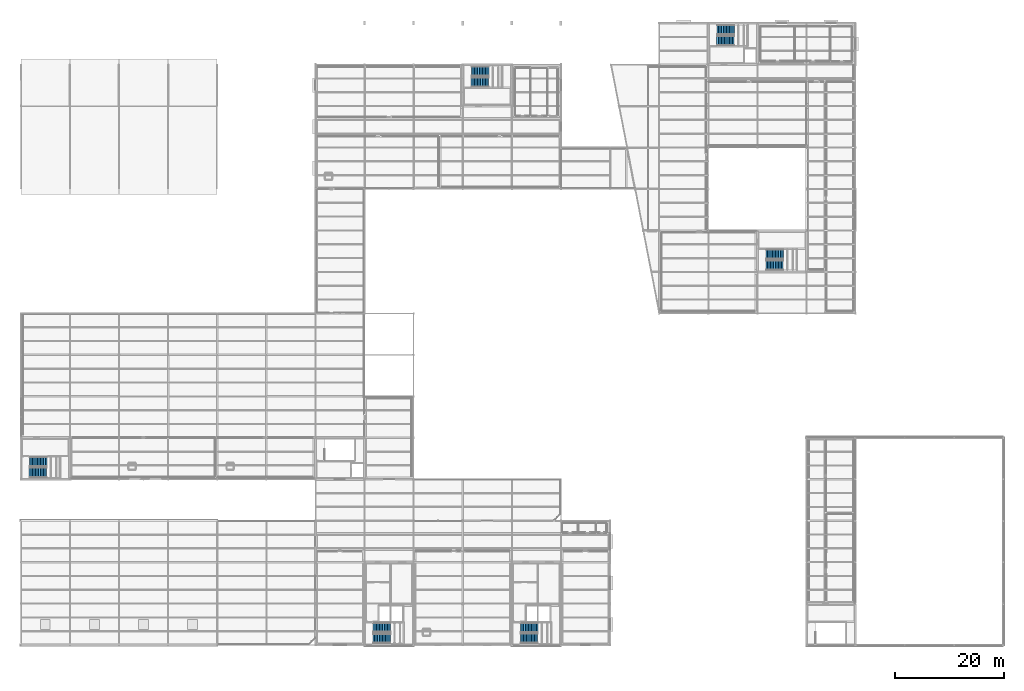
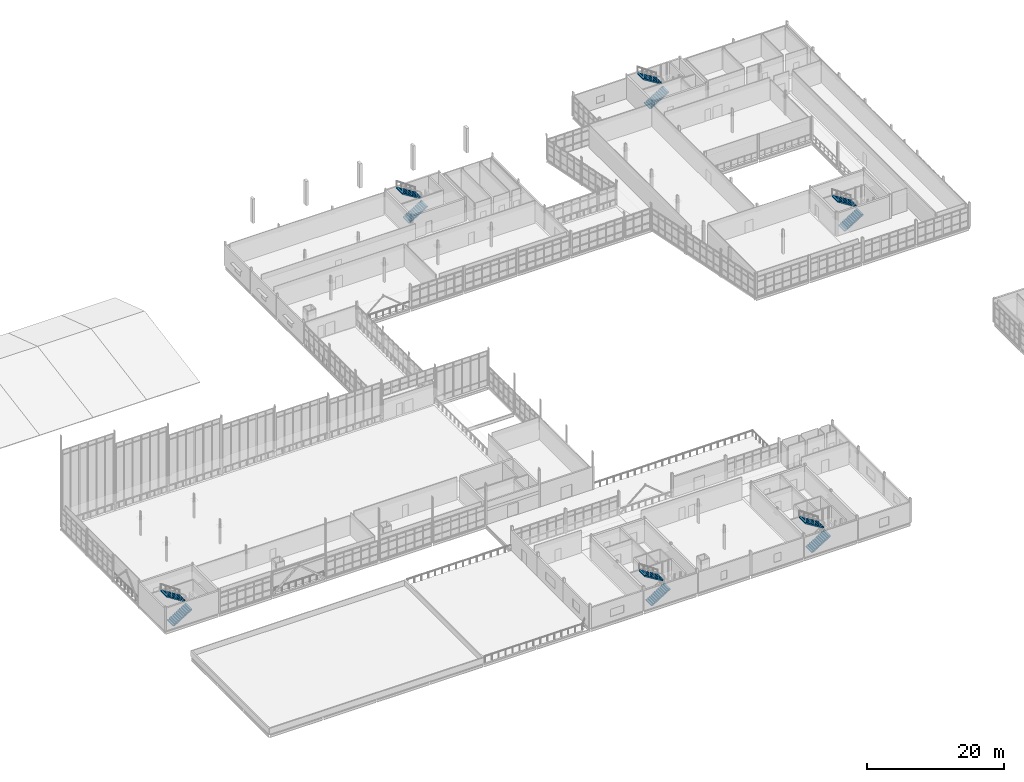
# One storey, part 160 of 166: 12 stair flights, 6 elements without a shape of their own.
"""IFC4 building model written with IfcOpenShell, lengths in metres."""

from ifc_helpers import new_model, si_unit, direction, frame, origin, place, context, subcontext, project, spatial, polyline, outline, extrude, material, type_object, element, aggregate, save


model = new_model("IFC4")

# Units and contexts
model_context = context("Model", 3, precision=1e-05, world=origin(), true_north=direction((0.0, 1.0)))
body_context = subcontext(model_context, "Body", "Model", "MODEL_VIEW")
ifc_project = project(units=[si_unit("LENGTHUNIT", "METRE"), si_unit("AREAUNIT", "SQUARE_METRE"), si_unit("VOLUMEUNIT", "CUBIC_METRE"), si_unit("PLANEANGLEUNIT", "RADIAN"), si_unit("MASSUNIT", "GRAM", prefix="KILO")], contexts=[model_context])

# Site, building, storey
site_placement = place(None, origin())
site = spatial("IfcSite", under=ifc_project, at=site_placement, CompositionType="ELEMENT")
building_placement = place(site_placement, origin())
building = spatial("IfcBuilding", under=site, at=building_placement, Name="Caisbarro Railhouse Central Library", CompositionType="ELEMENT")
storey_placement = place(building_placement, frame((0.0, 0.0, 9.360107421875)))
storey = spatial("IfcBuildingStorey", under=building, at=storey_placement, Name="L02", CompositionType="ELEMENT", Elevation=9.360107421875)

# Stair, stair flights
ifc_material = material(Name="Concrete C35", Category="concrete")
stair_type_1 = type_object("IfcStairType", Name="STR-ST43B", PredefinedType="HALF_TURN_STAIR", material=ifc_material)
stair_1_placement = place(storey_placement, origin())
stair_1 = element("IfcStair", 1, at=stair_1_placement, inside=storey, type_object=stair_type_1, Name="Protected Stair ST-01 (L02)", PredefinedType="HALF_TURN_STAIR")
stair_flight_type_1 = type_object("IfcStairFlightType", Name="STF-ST43B", PredefinedType="STRAIGHT", material=ifc_material)
stair_flight_1_placement = place(storey_placement, frame((64.550048828125, 1.199951171875, 0.0), z_axis=(0.0, 0.0, 1.0), x_axis=(1.0, 0.0, 0.0)))
stair_flight_1 = element("IfcStairFlight", 2, at=stair_flight_1_placement, type_object=stair_flight_type_1, Name="ST-01 flight 1", NumberOfRisers=12, NumberOfTreads=11, PredefinedType="STRAIGHT", RiserHeight=0.18, TreadLength=0.29, context=body_context, shape_type="SweptSolid", body=[
    extrude(outline(polyline([(0.0, 0.0), (0.0, 0.179931640625), (0.2900390625, 0.179931640625), (0.2900390625, 0.360107421875), (0.580078125, 0.360107421875), (0.580078125, 0.5400390625), (0.8701171875, 0.5400390625), (0.8701171875, 0.719970703125), (1.159912109375, 0.719970703125), (1.159912109375, 0.89990234375), (1.449951171875, 0.89990234375), (1.449951171875, 1.080078125), (1.739990234375, 1.080078125), (1.739990234375, 1.260009765625), (2.030029296875, 1.260009765625), (2.030029296875, 1.43994140625), (2.320068359375, 1.43994140625), (2.320068359375, 1.6201171875), (2.610107421875, 1.6201171875), (2.610107421875, 1.800048828125), (2.89990234375, 1.800048828125), (2.89990234375, 1.97998046875), (3.18994140625, 1.97998046875), (3.18994140625, 2.159912109375), (3.18994140625, 1.791748046875), (0.30322265625, 0.0), (0.0, 0.0)])), frame((0.0, 0.85986328125, 0.0), z_axis=(0.0, -1.0, 0.0), x_axis=(1.0, 0.0, 0.0)), (0.0, 0.0, 1.0), 1.719970703125),
])
stair_flight_2_placement = place(storey_placement, frame((67.780029296875, 3.25, 2.159912109375), z_axis=(0.0, 0.0, 1.0), x_axis=(-1.0, 0.0, 0.0)))
stair_flight_2 = element("IfcStairFlight", 3, at=stair_flight_2_placement, type_object=stair_flight_type_1, Name="ST-01 flight 2", NumberOfRisers=12, NumberOfTreads=11, PredefinedType="STRAIGHT", RiserHeight=0.18, TreadLength=0.29, context=body_context, shape_type="SweptSolid", body=[
    extrude(outline(polyline([(0.0, 0.0), (0.0, 0.179931640625), (0.2900390625, 0.179931640625), (0.2900390625, 0.360107421875), (0.580078125, 0.360107421875), (0.580078125, 0.5400390625), (0.8701171875, 0.5400390625), (0.8701171875, 0.719970703125), (1.159912109375, 0.719970703125), (1.159912109375, 0.89990234375), (1.449951171875, 0.89990234375), (1.449951171875, 1.080078125), (1.739990234375, 1.080078125), (1.739990234375, 1.260009765625), (2.030029296875, 1.260009765625), (2.030029296875, 1.43994140625), (2.320068359375, 1.43994140625), (2.320068359375, 1.6201171875), (2.610107421875, 1.6201171875), (2.610107421875, 1.800048828125), (2.89990234375, 1.800048828125), (2.89990234375, 1.97998046875), (3.18994140625, 1.97998046875), (3.18994140625, 2.159912109375), (3.18994140625, 1.791748046875), (0.30322265625, 0.0), (0.0, 0.0)])), frame((0.0, 0.85986328125, 0.0), z_axis=(0.0, -1.0, 0.0), x_axis=(1.0, 0.0, 0.0)), (0.0, 0.0, 1.0), 1.719970703125),
])
aggregate(stair_1, [stair_flight_1, stair_flight_2])

stair_2_placement = place(storey_placement, origin())
stair_2 = element("IfcStair", 4, at=stair_2_placement, inside=storey, type_object=stair_type_1, Name="Protected Stair ST-03 (L02)", PredefinedType="HALF_TURN_STAIR")
stair_flight_3_placement = place(storey_placement, frame((127.550048828125, 110.75, 0.0), z_axis=(0.0, 0.0, 1.0), x_axis=(1.0, 0.0, 0.0)))
stair_flight_3 = element("IfcStairFlight", 5, at=stair_flight_3_placement, type_object=stair_flight_type_1, Name="ST-03 flight 1", NumberOfRisers=12, NumberOfTreads=11, PredefinedType="STRAIGHT", RiserHeight=0.18, TreadLength=0.29, context=body_context, shape_type="SweptSolid", body=[
    extrude(outline(polyline([(0.0, 0.0), (0.0, 0.179931640625), (0.2900390625, 0.179931640625), (0.2900390625, 0.360107421875), (0.580078125, 0.360107421875), (0.580078125, 0.5400390625), (0.8701171875, 0.5400390625), (0.8701171875, 0.719970703125), (1.159912109375, 0.719970703125), (1.159912109375, 0.89990234375), (1.449951171875, 0.89990234375), (1.449951171875, 1.080078125), (1.739990234375, 1.080078125), (1.739990234375, 1.260009765625), (2.030029296875, 1.260009765625), (2.030029296875, 1.43994140625), (2.320068359375, 1.43994140625), (2.320068359375, 1.6201171875), (2.610107421875, 1.6201171875), (2.610107421875, 1.800048828125), (2.89990234375, 1.800048828125), (2.89990234375, 1.97998046875), (3.18994140625, 1.97998046875), (3.18994140625, 2.159912109375), (3.18994140625, 1.791748046875), (0.30322265625, 0.0), (0.0, 0.0)])), frame((0.0, 0.85986328125, 0.0), z_axis=(0.0, -1.0, 0.0), x_axis=(1.0, 0.0, 0.0)), (0.0, 0.0, 1.0), 1.719970703125),
])
stair_flight_4_placement = place(storey_placement, frame((130.780029296875, 112.800048828125, 2.159912109375), z_axis=(0.0, 0.0, 1.0), x_axis=(-1.0, 0.0, 0.0)))
stair_flight_4 = element("IfcStairFlight", 6, at=stair_flight_4_placement, type_object=stair_flight_type_1, Name="ST-03 flight 2", NumberOfRisers=12, NumberOfTreads=11, PredefinedType="STRAIGHT", RiserHeight=0.18, TreadLength=0.29, context=body_context, shape_type="SweptSolid", body=[
    extrude(outline(polyline([(0.0, 0.0), (0.0, 0.179931640625), (0.2900390625, 0.179931640625), (0.2900390625, 0.360107421875), (0.580078125, 0.360107421875), (0.580078125, 0.5400390625), (0.8701171875, 0.5400390625), (0.8701171875, 0.719970703125), (1.159912109375, 0.719970703125), (1.159912109375, 0.89990234375), (1.449951171875, 0.89990234375), (1.449951171875, 1.080078125), (1.739990234375, 1.080078125), (1.739990234375, 1.260009765625), (2.030029296875, 1.260009765625), (2.030029296875, 1.43994140625), (2.320068359375, 1.43994140625), (2.320068359375, 1.6201171875), (2.610107421875, 1.6201171875), (2.610107421875, 1.800048828125), (2.89990234375, 1.800048828125), (2.89990234375, 1.97998046875), (3.18994140625, 1.97998046875), (3.18994140625, 2.159912109375), (3.18994140625, 1.791748046875), (0.30322265625, 0.0), (0.0, 0.0)])), frame((0.0, 0.85986328125, 0.0), z_axis=(0.0, -1.0, 0.0), x_axis=(1.0, 0.0, 0.0)), (0.0, 0.0, 1.0), 1.719970703125),
])
aggregate(stair_2, [stair_flight_3, stair_flight_4])

stair_type_2 = type_object("IfcStairType", Name="STR-ST43C", PredefinedType="HALF_TURN_STAIR", material=ifc_material)
stair_3_placement = place(storey_placement, origin())
stair_3 = element("IfcStair", 7, at=stair_3_placement, inside=storey, type_object=stair_type_2, Name="Protected Stair ST-02 (L02)", PredefinedType="HALF_TURN_STAIR")
stair_flight_type_2 = type_object("IfcStairFlightType", Name="STF-ST43C", PredefinedType="STRAIGHT", material=ifc_material)
stair_flight_5_placement = place(storey_placement, frame((91.550048828125, 1.22998046875, 0.0), z_axis=(0.0, 0.0, 1.0), x_axis=(1.0, 0.0, 0.0)))
stair_flight_5 = element("IfcStairFlight", 8, at=stair_flight_5_placement, type_object=stair_flight_type_2, Name="ST-02 flight 1", NumberOfRisers=12, NumberOfTreads=11, PredefinedType="STRAIGHT", RiserHeight=0.18, TreadLength=0.29, context=body_context, shape_type="SweptSolid", body=[
    extrude(outline(polyline([(0.0, 0.0), (0.0, 0.179931640625), (0.2900390625, 0.179931640625), (0.2900390625, 0.360107421875), (0.580078125, 0.360107421875), (0.580078125, 0.5400390625), (0.8701171875, 0.5400390625), (0.8701171875, 0.719970703125), (1.159912109375, 0.719970703125), (1.159912109375, 0.89990234375), (1.449951171875, 0.89990234375), (1.449951171875, 1.080078125), (1.739990234375, 1.080078125), (1.739990234375, 1.260009765625), (2.030029296875, 1.260009765625), (2.030029296875, 1.43994140625), (2.320068359375, 1.43994140625), (2.320068359375, 1.6201171875), (2.610107421875, 1.6201171875), (2.610107421875, 1.800048828125), (2.89990234375, 1.800048828125), (2.89990234375, 1.97998046875), (3.18994140625, 1.97998046875), (3.18994140625, 2.159912109375), (3.18994140625, 1.791748046875), (0.30322265625, 0.0), (0.0, 0.0)])), frame((0.0, 0.89013671875, 0.0), z_axis=(0.0, -1.0, 0.0), x_axis=(1.0, 0.0, 0.0)), (0.0, 0.0, 1.0), 1.780029296875),
])
stair_flight_6_placement = place(storey_placement, frame((94.780029296875, 3.219970703125, 2.159912109375), z_axis=(0.0, 0.0, 1.0), x_axis=(-1.0, 0.0, 0.0)))
stair_flight_6 = element("IfcStairFlight", 9, at=stair_flight_6_placement, type_object=stair_flight_type_2, Name="ST-02 flight 2", NumberOfRisers=12, NumberOfTreads=11, PredefinedType="STRAIGHT", RiserHeight=0.18, TreadLength=0.29, context=body_context, shape_type="SweptSolid", body=[
    extrude(outline(polyline([(0.0, 0.0), (0.0, 0.179931640625), (0.2900390625, 0.179931640625), (0.2900390625, 0.360107421875), (0.580078125, 0.360107421875), (0.580078125, 0.5400390625), (0.8701171875, 0.5400390625), (0.8701171875, 0.719970703125), (1.159912109375, 0.719970703125), (1.159912109375, 0.89990234375), (1.449951171875, 0.89990234375), (1.449951171875, 1.080078125), (1.739990234375, 1.080078125), (1.739990234375, 1.260009765625), (2.030029296875, 1.260009765625), (2.030029296875, 1.43994140625), (2.320068359375, 1.43994140625), (2.320068359375, 1.6201171875), (2.610107421875, 1.6201171875), (2.610107421875, 1.800048828125), (2.89990234375, 1.800048828125), (2.89990234375, 1.97998046875), (3.18994140625, 1.97998046875), (3.18994140625, 2.159912109375), (3.18994140625, 1.791748046875), (0.30322265625, 0.0), (0.0, 0.0)])), frame((0.0, 0.89013671875, 0.0), z_axis=(0.0, -1.0, 0.0), x_axis=(1.0, 0.0, 0.0)), (0.0, 0.0, 1.0), 1.780029296875),
])
aggregate(stair_3, [stair_flight_5, stair_flight_6])

stair_4_placement = place(storey_placement, origin())
stair_4 = element("IfcStair", 10, at=stair_4_placement, inside=storey, type_object=stair_type_2, Name="Protected Stair ST-05 (L02)", PredefinedType="HALF_TURN_STAIR")
stair_flight_7_placement = place(storey_placement, frame((82.550048828125, 103.179931640625, 0.0), z_axis=(0.0, 0.0, 1.0), x_axis=(1.0, 0.0, 0.0)))
stair_flight_7 = element("IfcStairFlight", 11, at=stair_flight_7_placement, type_object=stair_flight_type_2, Name="ST-05 flight 1", NumberOfRisers=12, NumberOfTreads=11, PredefinedType="STRAIGHT", RiserHeight=0.18, TreadLength=0.29, context=body_context, shape_type="SweptSolid", body=[
    extrude(outline(polyline([(0.0, 0.0), (0.0, 0.179931640625), (0.2900390625, 0.179931640625), (0.2900390625, 0.360107421875), (0.580078125, 0.360107421875), (0.580078125, 0.5400390625), (0.8701171875, 0.5400390625), (0.8701171875, 0.719970703125), (1.159912109375, 0.719970703125), (1.159912109375, 0.89990234375), (1.449951171875, 0.89990234375), (1.449951171875, 1.080078125), (1.739990234375, 1.080078125), (1.739990234375, 1.260009765625), (2.030029296875, 1.260009765625), (2.030029296875, 1.43994140625), (2.320068359375, 1.43994140625), (2.320068359375, 1.6201171875), (2.610107421875, 1.6201171875), (2.610107421875, 1.800048828125), (2.89990234375, 1.800048828125), (2.89990234375, 1.97998046875), (3.18994140625, 1.97998046875), (3.18994140625, 2.159912109375), (3.18994140625, 1.791748046875), (0.30322265625, 0.0), (0.0, 0.0)])), frame((0.0, 0.89013671875, 0.0), z_axis=(0.0, -1.0, 0.0), x_axis=(1.0, 0.0, 0.0)), (0.0, 0.0, 1.0), 1.780029296875),
])
stair_flight_8_placement = place(storey_placement, frame((85.780029296875, 105.169921875, 2.159912109375), z_axis=(0.0, 0.0, 1.0), x_axis=(-1.0, 0.0, 0.0)))
stair_flight_8 = element("IfcStairFlight", 12, at=stair_flight_8_placement, type_object=stair_flight_type_2, Name="ST-05 flight 2", NumberOfRisers=12, NumberOfTreads=11, PredefinedType="STRAIGHT", RiserHeight=0.18, TreadLength=0.29, context=body_context, shape_type="SweptSolid", body=[
    extrude(outline(polyline([(0.0, 0.0), (0.0, 0.179931640625), (0.2900390625, 0.179931640625), (0.2900390625, 0.360107421875), (0.580078125, 0.360107421875), (0.580078125, 0.5400390625), (0.8701171875, 0.5400390625), (0.8701171875, 0.719970703125), (1.159912109375, 0.719970703125), (1.159912109375, 0.89990234375), (1.449951171875, 0.89990234375), (1.449951171875, 1.080078125), (1.739990234375, 1.080078125), (1.739990234375, 1.260009765625), (2.030029296875, 1.260009765625), (2.030029296875, 1.43994140625), (2.320068359375, 1.43994140625), (2.320068359375, 1.6201171875), (2.610107421875, 1.6201171875), (2.610107421875, 1.800048828125), (2.89990234375, 1.800048828125), (2.89990234375, 1.97998046875), (3.18994140625, 1.97998046875), (3.18994140625, 2.159912109375), (3.18994140625, 1.791748046875), (0.30322265625, 0.0), (0.0, 0.0)])), frame((0.0, 0.89013671875, 0.0), z_axis=(0.0, -1.0, 0.0), x_axis=(1.0, 0.0, 0.0)), (0.0, 0.0, 1.0), 1.780029296875),
])
aggregate(stair_4, [stair_flight_7, stair_flight_8])

stair_5_placement = place(storey_placement, origin())
stair_5 = element("IfcStair", 13, at=stair_5_placement, inside=storey, type_object=stair_type_2, Name="Protected Stair ST-06 (L02)", PredefinedType="HALF_TURN_STAIR")
stair_flight_9_placement = place(storey_placement, frame((1.550048828125, 31.6298828125, 0.0), z_axis=(0.0, 0.0, 1.0), x_axis=(1.0, 0.0, 0.0)))
stair_flight_9 = element("IfcStairFlight", 14, at=stair_flight_9_placement, type_object=stair_flight_type_2, Name="ST-06 flight 1", NumberOfRisers=12, NumberOfTreads=11, PredefinedType="STRAIGHT", RiserHeight=0.18, TreadLength=0.29, context=body_context, shape_type="SweptSolid", body=[
    extrude(outline(polyline([(0.0, 0.0), (0.0, 0.179931640625), (0.2900390625, 0.179931640625), (0.2900390625, 0.360107421875), (0.580078125, 0.360107421875), (0.580078125, 0.5400390625), (0.8701171875, 0.5400390625), (0.8701171875, 0.719970703125), (1.159912109375, 0.719970703125), (1.159912109375, 0.89990234375), (1.449951171875, 0.89990234375), (1.449951171875, 1.080078125), (1.739990234375, 1.080078125), (1.739990234375, 1.260009765625), (2.030029296875, 1.260009765625), (2.030029296875, 1.43994140625), (2.320068359375, 1.43994140625), (2.320068359375, 1.6201171875), (2.610107421875, 1.6201171875), (2.610107421875, 1.800048828125), (2.89990234375, 1.800048828125), (2.89990234375, 1.97998046875), (3.18994140625, 1.97998046875), (3.18994140625, 2.159912109375), (3.18994140625, 1.791748046875), (0.30322265625, 0.0), (0.0, 0.0)])), frame((0.0, 0.89013671875, 0.0), z_axis=(0.0, -1.0, 0.0), x_axis=(1.0, 0.0, 0.0)), (0.0, 0.0, 1.0), 1.780029296875),
])
stair_flight_10_placement = place(storey_placement, frame((4.780029296875, 33.6201171875, 2.159912109375), z_axis=(0.0, 0.0, 1.0), x_axis=(-1.0, 0.0, 0.0)))
stair_flight_10 = element("IfcStairFlight", 15, at=stair_flight_10_placement, type_object=stair_flight_type_2, Name="ST-06 flight 2", NumberOfRisers=12, NumberOfTreads=11, PredefinedType="STRAIGHT", RiserHeight=0.18, TreadLength=0.29, context=body_context, shape_type="SweptSolid", body=[
    extrude(outline(polyline([(0.0, 0.0), (0.0, 0.179931640625), (0.2900390625, 0.179931640625), (0.2900390625, 0.360107421875), (0.580078125, 0.360107421875), (0.580078125, 0.5400390625), (0.8701171875, 0.5400390625), (0.8701171875, 0.719970703125), (1.159912109375, 0.719970703125), (1.159912109375, 0.89990234375), (1.449951171875, 0.89990234375), (1.449951171875, 1.080078125), (1.739990234375, 1.080078125), (1.739990234375, 1.260009765625), (2.030029296875, 1.260009765625), (2.030029296875, 1.43994140625), (2.320068359375, 1.43994140625), (2.320068359375, 1.6201171875), (2.610107421875, 1.6201171875), (2.610107421875, 1.800048828125), (2.89990234375, 1.800048828125), (2.89990234375, 1.97998046875), (3.18994140625, 1.97998046875), (3.18994140625, 2.159912109375), (3.18994140625, 1.791748046875), (0.30322265625, 0.0), (0.0, 0.0)])), frame((0.0, 0.89013671875, 0.0), z_axis=(0.0, -1.0, 0.0), x_axis=(1.0, 0.0, 0.0)), (0.0, 0.0, 1.0), 1.780029296875),
])
aggregate(stair_5, [stair_flight_9, stair_flight_10])

stair_6_placement = place(storey_placement, origin())
stair_6 = element("IfcStair", 16, at=stair_6_placement, inside=storey, type_object=stair_type_2, Name="Protected Stair ST-07 (L02)", PredefinedType="HALF_TURN_STAIR")
stair_flight_11_placement = place(storey_placement, frame((136.550048828125, 69.6298828125, 0.0), z_axis=(0.0, 0.0, 1.0), x_axis=(1.0, 0.0, 0.0)))
stair_flight_11 = element("IfcStairFlight", 17, at=stair_flight_11_placement, type_object=stair_flight_type_2, Name="ST-07 flight 1", NumberOfRisers=12, NumberOfTreads=11, PredefinedType="STRAIGHT", RiserHeight=0.18, TreadLength=0.29, context=body_context, shape_type="SweptSolid", body=[
    extrude(outline(polyline([(0.0, 0.0), (0.0, 0.179931640625), (0.2900390625, 0.179931640625), (0.2900390625, 0.360107421875), (0.580078125, 0.360107421875), (0.580078125, 0.5400390625), (0.8701171875, 0.5400390625), (0.8701171875, 0.719970703125), (1.159912109375, 0.719970703125), (1.159912109375, 0.89990234375), (1.449951171875, 0.89990234375), (1.449951171875, 1.080078125), (1.739990234375, 1.080078125), (1.739990234375, 1.260009765625), (2.030029296875, 1.260009765625), (2.030029296875, 1.43994140625), (2.320068359375, 1.43994140625), (2.320068359375, 1.6201171875), (2.610107421875, 1.6201171875), (2.610107421875, 1.800048828125), (2.89990234375, 1.800048828125), (2.89990234375, 1.97998046875), (3.18994140625, 1.97998046875), (3.18994140625, 2.159912109375), (3.18994140625, 1.791748046875), (0.30322265625, 0.0), (0.0, 0.0)])), frame((0.0, 0.89013671875, 0.0), z_axis=(0.0, -1.0, 0.0), x_axis=(1.0, 0.0, 0.0)), (0.0, 0.0, 1.0), 1.780029296875),
])
stair_flight_12_placement = place(storey_placement, frame((139.780029296875, 71.6201171875, 2.159912109375), z_axis=(0.0, 0.0, 1.0), x_axis=(-1.0, 0.0, 0.0)))
stair_flight_12 = element("IfcStairFlight", 18, at=stair_flight_12_placement, type_object=stair_flight_type_2, Name="ST-07 flight 2", NumberOfRisers=12, NumberOfTreads=11, PredefinedType="STRAIGHT", RiserHeight=0.18, TreadLength=0.29, context=body_context, shape_type="SweptSolid", body=[
    extrude(outline(polyline([(0.0, 0.0), (0.0, 0.179931640625), (0.2900390625, 0.179931640625), (0.2900390625, 0.360107421875), (0.580078125, 0.360107421875), (0.580078125, 0.5400390625), (0.8701171875, 0.5400390625), (0.8701171875, 0.719970703125), (1.159912109375, 0.719970703125), (1.159912109375, 0.89990234375), (1.449951171875, 0.89990234375), (1.449951171875, 1.080078125), (1.739990234375, 1.080078125), (1.739990234375, 1.260009765625), (2.030029296875, 1.260009765625), (2.030029296875, 1.43994140625), (2.320068359375, 1.43994140625), (2.320068359375, 1.6201171875), (2.610107421875, 1.6201171875), (2.610107421875, 1.800048828125), (2.89990234375, 1.800048828125), (2.89990234375, 1.97998046875), (3.18994140625, 1.97998046875), (3.18994140625, 2.159912109375), (3.18994140625, 1.791748046875), (0.30322265625, 0.0), (0.0, 0.0)])), frame((0.0, 0.89013671875, 0.0), z_axis=(0.0, -1.0, 0.0), x_axis=(1.0, 0.0, 0.0)), (0.0, 0.0, 1.0), 1.780029296875),
])
aggregate(stair_6, [stair_flight_11, stair_flight_12])

save(model, "model.ifc")
